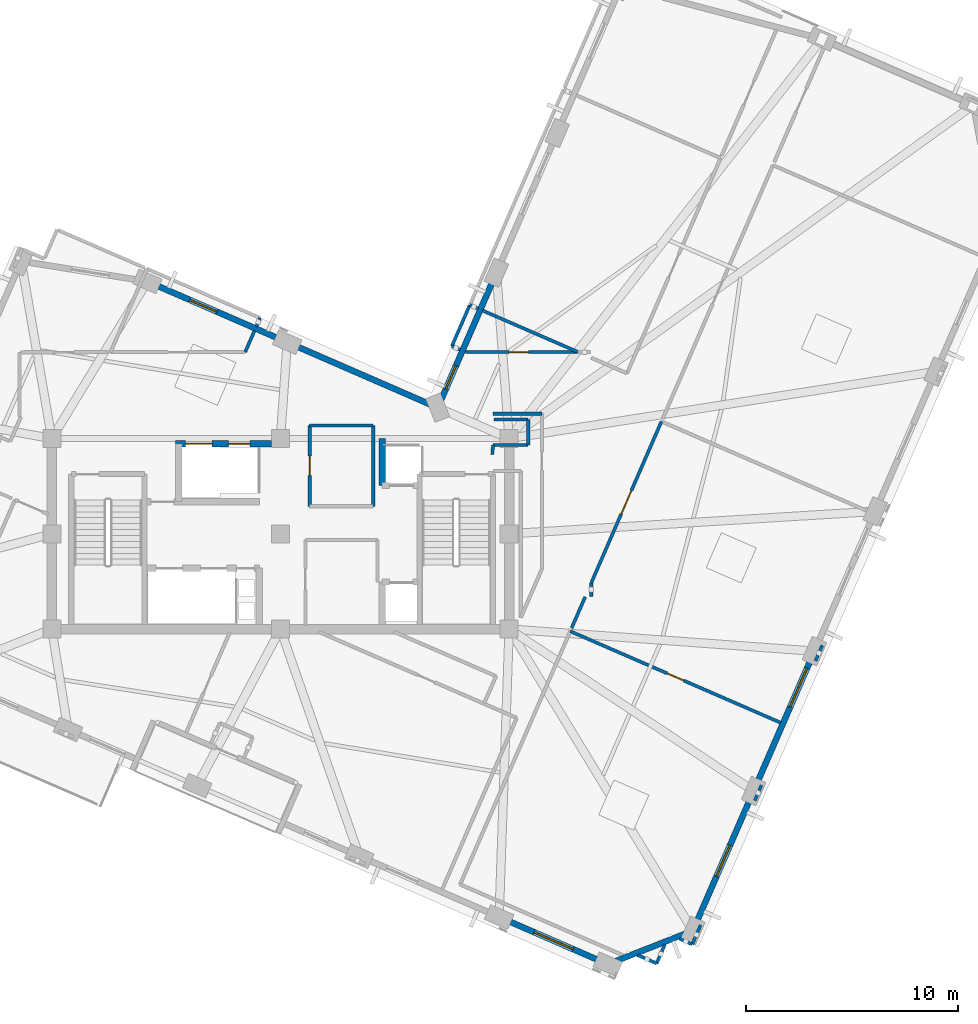
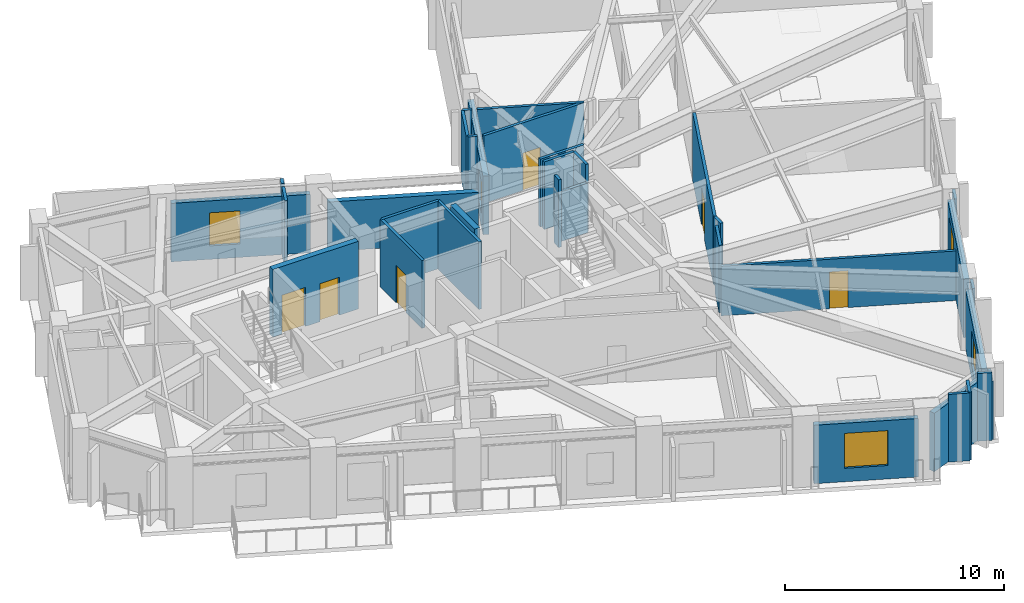
# One storey, part 6 of 12: 34 walls, 6 doors, 5 windows, 11 openings.
"""IFC4 building model written with IfcOpenShell, lengths in metres."""

import ifcopenshell
import ifcopenshell.guid

model = None  # the IFC model being written
_history = None  # IfcOwnerHistory: only IFC2X3 demands one
_inside = {}  # id of a spatial element -> (the spatial element, [elements in it])
_under = {}  # id of a project, library or spatial element -> (it, [spatial elements below it])
_declared = {}  # id of a project -> (the project, [libraries it declares])
_typed = {}  # id of a type object -> (the type object, [elements of that type])
_made_of = {}  # id of a material, layer set ... -> (it, [elements and type objects made of it])


def new_model(schema):
    """Start an empty IFC model of exactly this schema.

    Asked for "IFC4X3", IfcOpenShell would pick the latest addendum, in which some entities
    have other attributes; the version numbers below select the first issue.
    IFC2X3 requires an IfcOwnerHistory on every rooted entity: one is made here for all.
    """
    global model, _history
    if schema == "IFC4X3":
        model = ifcopenshell.file(schema_version=(4, 3, 0, 0))
    else:
        model = ifcopenshell.file(schema=schema)
    _inside.clear()
    _under.clear()
    _declared.clear()
    _typed.clear()
    _made_of.clear()
    _history = None
    if model.schema == "IFC2X3":
        org = make("IfcOrganization", Name="unknown")
        user = make(
            "IfcPersonAndOrganization",
            ThePerson=make("IfcPerson", FamilyName="unknown"),
            TheOrganization=org,
        )
        app = make(
            "IfcApplication",
            ApplicationDeveloper=org,
            Version="unknown",
            ApplicationFullName="unknown",
            ApplicationIdentifier="unknown",
        )
        _history = make(
            "IfcOwnerHistory",
            OwningUser=user,
            OwningApplication=app,
            ChangeAction="ADDED",
            CreationDate=0,
        )
    return model


def make(cls, **values):
    """One entity of the class cls with the attributes given. An attribute that is None is left unset."""
    return model.create_entity(
        cls, **{name: value for name, value in values.items() if value is not None}
    )


def rooted(cls, **values):
    """An entity with a GlobalId (a new one), such as an element, a storey or a relation."""
    return make(cls, GlobalId=ifcopenshell.guid.new(), OwnerHistory=_history, **values)


def si_unit(unit_type, name, prefix=None):
    """IfcSIUnit, for example si_unit("LENGTHUNIT", "METRE", prefix="MILLI")."""
    return make("IfcSIUnit", UnitType=unit_type, Prefix=prefix, Name=name)


def assignment(units):
    """IfcUnitAssignment: the units of a project."""
    return None if units is None else make("IfcUnitAssignment", Units=units)


def point(xyz):
    """IfcCartesianPoint."""
    return None if xyz is None else make("IfcCartesianPoint", Coordinates=xyz)


def direction(xyz):
    """IfcDirection."""
    return None if xyz is None else make("IfcDirection", DirectionRatios=xyz)


def frame(location, z_axis=None, x_axis=None):
    """IfcAxis2Placement3D, a coordinate frame: its origin and axes. An axis left out is left unset."""
    return make(
        "IfcAxis2Placement3D",
        Location=point(location),
        Axis=direction(z_axis),
        RefDirection=direction(x_axis),
    )


def frame_2d(location, x_axis=None):
    """IfcAxis2Placement2D, a coordinate frame in the plane: its origin and x axis."""
    return make(
        "IfcAxis2Placement2D", Location=point(location), RefDirection=direction(x_axis)
    )


def origin():
    """The frame at (0, 0, 0) with its axes left unset."""
    return frame((0.0, 0.0, 0.0))


def place(relative_to, where):
    """IfcLocalPlacement: puts the frame where relative to a parent placement (None: the world)."""
    return make(
        "IfcLocalPlacement", PlacementRelTo=relative_to, RelativePlacement=where
    )


def context(
    kind, dimensions, precision=None, world=None, true_north=None, identifier=None
):
    """IfcGeometricRepresentationContext, for example the 3D "Model" context."""
    return make(
        "IfcGeometricRepresentationContext",
        ContextIdentifier=identifier,
        ContextType=kind,
        CoordinateSpaceDimension=dimensions,
        Precision=precision,
        WorldCoordinateSystem=world,
        TrueNorth=true_north,
    )


def subcontext(parent, identifier, kind, view, scale=None):
    """IfcGeometricRepresentationSubContext, for example "Body" below "Model"."""
    return make(
        "IfcGeometricRepresentationSubContext",
        ContextIdentifier=identifier,
        ContextType=kind,
        ParentContext=parent,
        TargetScale=scale,
        TargetView=view,
    )


def project(units=None, contexts=None):
    """IfcProject with its units and contexts."""
    return rooted(
        "IfcProject",
        Name="project",
        RepresentationContexts=contexts,
        UnitsInContext=assignment(units),
    )


def spatial(cls, under=None, at=None, **own):
    """A site, building, storey or space (cls), placed at a placement, below another one or the project."""
    s = rooted(cls, ObjectPlacement=at, **own)
    if under is not None:
        _under.setdefault(under.id(), (under, []))[1].append(s)
    return s


def profile(cls, at=None, kind="AREA", **sizes):
    """A parametric profile (cls). Its sizes go by their IFC names, for example OverallWidth=200.0."""
    return make(cls, ProfileType=kind, Position=at, **sizes)


def rectangle(**sizes):
    """IfcRectangleProfileDef."""
    return profile("IfcRectangleProfileDef", **sizes)


def extrude(swept, where, along, depth):
    """IfcExtrudedAreaSolid: the profile swept, set in the frame where, extruded along a direction by depth."""
    return make(
        "IfcExtrudedAreaSolid",
        SweptArea=swept,
        Position=where,
        ExtrudedDirection=direction(along),
        Depth=depth,
    )


def shape(context_of_items, identifier, shape_type, items):
    """IfcShapeRepresentation: the items that make up one representation, for example the "Body"."""
    return make(
        "IfcShapeRepresentation",
        ContextOfItems=context_of_items,
        RepresentationIdentifier=identifier,
        RepresentationType=shape_type,
        Items=items,
    )


def material(Name=None, Category=None):
    """IfcMaterial."""
    return make("IfcMaterial", Name=Name, Category=Category)


def layer(
    of_material, thickness, ventilated=None, Name=None, Category=None, Priority=None
):
    """IfcMaterialLayer: one layer of a wall or slab, of a material (None: an air gap)."""
    return make(
        "IfcMaterialLayer",
        Material=of_material,
        LayerThickness=thickness,
        IsVentilated=ventilated,
        Name=Name,
        Category=Category,
        Priority=Priority,
    )


def layer_set(layers, Name=None):
    """IfcMaterialLayerSet."""
    return make("IfcMaterialLayerSet", MaterialLayers=layers, LayerSetName=Name)


def made_of(thing, what):
    """Note that an element or type object is made of a material, layer set ...; save() writes the relation."""
    if what is not None:
        _made_of.setdefault(what.id(), (what, []))[1].append(thing)
    return thing


def type_object(cls, material=None, **own):
    """A type object (cls), such as IfcWallType, which elements share."""
    return made_of(rooted(cls, **own), material)


def element(
    cls,
    number,
    at=None,
    inside=None,
    cuts=None,
    type_object=None,
    material=None,
    context=None,
    identifier="Body",
    shape_type=None,
    held_by="IfcProductDefinitionShape",
    body=None,
    shapes=None,
    **own,
):
    """One element of the class cls, such as IfcWall. Its Tag is "e" and its number.

    at: its placement. inside: the storey or other place that contains it. cuts: it is an
    opening in that element (IfcRelVoidsElement). A single representation is given by context,
    identifier, shape_type and body (its items); several are given by shapes. held_by: the class
    of the entity that holds the representations. save() writes the other relations.
    """
    e = rooted(cls, Tag="e%d" % number, ObjectPlacement=at, **own)
    if body is not None:
        shapes = [shape(context, identifier, shape_type, body)]
    if shapes is not None:
        e.Representation = make(held_by, Representations=shapes)
    if inside is not None:
        _inside.setdefault(inside.id(), (inside, []))[1].append(e)
    if cuts is not None:
        rooted(
            "IfcRelVoidsElement", RelatingBuildingElement=cuts, RelatedOpeningElement=e
        )
    if type_object is not None:
        _typed.setdefault(type_object.id(), (type_object, []))[1].append(e)
    return made_of(e, material)


def fill(opening, filler):
    """IfcRelFillsElement: the door or window that sits in an opening."""
    return rooted(
        "IfcRelFillsElement",
        RelatingOpeningElement=opening,
        RelatedBuildingElement=filler,
    )


def aggregate(whole, parts):
    """IfcRelAggregates: a whole, such as a stair, and the parts it consists of."""
    return rooted("IfcRelAggregates", RelatingObject=whole, RelatedObjects=parts)


def save(model, path):
    """Write the relations noted so far, then the file.

    IfcRelAggregates (storeys below a building ...), IfcRelContainedInSpatialStructure (elements
    in a storey), IfcRelDefinesByType, IfcRelAssociatesMaterial and IfcRelDeclares: one each for
    every whole, place, type object, material and project.
    """
    for whole, parts in _under.values():
        aggregate(whole, parts)
    for where, things in _inside.values():
        rooted(
            "IfcRelContainedInSpatialStructure",
            RelatedElements=things,
            RelatingStructure=where,
        )
    for kind, things in _typed.values():
        rooted("IfcRelDefinesByType", RelatedObjects=things, RelatingType=kind)
    for what, things in _made_of.values():
        rooted("IfcRelAssociatesMaterial", RelatedObjects=things, RelatingMaterial=what)
    for by, libraries in _declared.values():
        rooted("IfcRelDeclares", RelatingContext=by, RelatedDefinitions=libraries)
    model.write(path)


model = new_model("IFC4")

# Units and contexts
model_context = context("Model", 3, precision=1e-05, world=origin(), true_north=direction((0.0, 1.0)))
body_context = subcontext(model_context, "Body", "Model", "MODEL_VIEW")
ifc_project = project(units=[si_unit("LENGTHUNIT", "METRE"), si_unit("AREAUNIT", "SQUARE_METRE"), si_unit("VOLUMEUNIT", "CUBIC_METRE"), si_unit("PLANEANGLEUNIT", "RADIAN"), si_unit("MASSUNIT", "GRAM", prefix="KILO")], contexts=[model_context])

# Site, building, storey
site_placement = place(None, origin())
site = spatial("IfcSite", under=ifc_project, at=site_placement, CompositionType="ELEMENT")
building_placement = place(site_placement, origin())
building = spatial("IfcBuilding", under=site, at=building_placement, Name="Gaonmaruhae Medical Tower", CompositionType="ELEMENT")
storey_placement = place(building_placement, frame((0.0, 0.0, 308.60009765625)))
storey = spatial("IfcBuildingStorey", under=building, at=storey_placement, Name="L74", CompositionType="ELEMENT", Elevation=308.60009765625)

# Wall, opening, window
ifc_material_1 = material(Name="Precast concrete C45/55", Category="concrete")
ifc_layer_1 = layer(ifc_material_1, 0.280029296875)
ifc_layer_set_1 = layer_set([ifc_layer_1], Name="Precast concrete C45/55")
wall_type_1 = type_object("IfcWallType", Name="EW-280 Upper Precast Masonry-Frame Facade Wall", PredefinedType="SOLIDWALL", material=ifc_layer_set_1)
wall_1_placement = place(storey_placement, frame((46.987548828125, -0.210205078125, 0.0), z_axis=(0.0, 0.0, 1.0), x_axis=(-0.398744230651, -0.917062178112, 0.0)))
wall_1 = element("IfcWall", 1, at=wall_1_placement, inside=storey, type_object=wall_type_1, Name="L74 Precast Masonry-Frame Wall S01-S02", PredefinedType="SOLIDWALL", context=body_context, shape_type="SweptSolid", body=[
    extrude(rectangle(XDim=6.405029296875, YDim=0.280029296875, at=frame_2d((3.20263671875, 0.0))), origin(), (0.0, 0.0, 1.0), 3.264892578125),
])
opening_1_placement = place(wall_1_placement, frame((2.40234375, 0.0, 0.75)))
opening_1 = element("IfcOpeningElement", 2, at=opening_1_placement, cuts=wall_1, Name="Opening WN-01", PredefinedType="OPENING", context=body_context, shape_type="SweptSolid", body=[
    extrude(rectangle(XDim=1.60009765625, YDim=1.949951171875, at=frame_2d((0.800048828125, 0.97509765625))), frame((0.0, 0.14990234375, 0.0), z_axis=(0.0, -1.0, 0.0), x_axis=(1.0, 0.0, 0.0)), (0.0, 0.0, 1.0), 0.300048828125),
])
ifc_material_2 = material(Name="Anodised aluminium and Low-E double glazing", Category="aluminium")
window_type_1 = type_object("IfcWindowType", Name="WN-01 Ward Punched Acoustic Window 1600x1950", PartitioningType="SINGLE_PANEL", PredefinedType="WINDOW", material=ifc_material_2)
window_1_placement = place(opening_1_placement, origin())
window_1 = element("IfcWindow", 3, at=window_1_placement, inside=storey, type_object=window_type_1, Name="L74 Modular Facade Window S01", OverallHeight=1.949951171875, OverallWidth=1.60009765625, PartitioningType="SINGLE_PANEL", PredefinedType="WINDOW", context=body_context, shape_type="SweptSolid", body=[
    extrude(rectangle(XDim=1.60009765625, YDim=1.949951171875, at=frame_2d((0.800048828125, 0.97509765625))), frame((0.0, 0.030029296875, 0.0), z_axis=(0.0, -1.0, 0.0), x_axis=(1.0, 0.0, 0.0)), (0.0, 0.0, 1.0), 0.06005859375),
])
fill(opening_1, window_1)

wall_2_placement = place(storey_placement, frame((49.858642578125, 6.392578125, 0.0), z_axis=(0.0, 0.0, 1.0), x_axis=(-0.398758169539, -0.917056117272, 0.0)))
wall_2 = element("IfcWall", 4, at=wall_2_placement, inside=storey, type_object=wall_type_1, Name="L74 Precast Masonry-Frame Wall S02-S03", PredefinedType="SOLIDWALL", context=body_context, shape_type="SweptSolid", body=[
    extrude(rectangle(XDim=6.40478515625, YDim=0.280029296875, at=frame_2d((3.202392578125, 0.0))), origin(), (0.0, 0.0, 1.0), 3.264892578125),
])
opening_2_placement = place(wall_2_placement, frame((0.48388671875, 0.0, 0.75)))
opening_2 = element("IfcOpeningElement", 5, at=opening_2_placement, cuts=wall_2, Name="Opening WN-02", PredefinedType="OPENING", context=body_context, shape_type="SweptSolid", body=[
    extrude(rectangle(XDim=2.0, YDim=1.949951171875, at=frame_2d((1.0, 0.97509765625))), frame((0.0, 0.14990234375, 0.0), z_axis=(0.0, -1.0, 0.0), x_axis=(1.0, 0.0, 0.0)), (0.0, 0.0, 1.0), 0.300048828125),
])
window_type_2 = type_object("IfcWindowType", Name="WN-02 Double-Bed Ward Punched Window 2000x1950", PartitioningType="SINGLE_PANEL", PredefinedType="WINDOW", material=ifc_material_2)
window_2_placement = place(opening_2_placement, origin())
window_2 = element("IfcWindow", 6, at=window_2_placement, inside=storey, type_object=window_type_2, Name="L74 Modular Facade Window S02", OverallHeight=1.949951171875, OverallWidth=2.0, PartitioningType="SINGLE_PANEL", PredefinedType="WINDOW", context=body_context, shape_type="SweptSolid", body=[
    extrude(rectangle(XDim=2.0, YDim=1.949951171875, at=frame_2d((1.0, 0.97509765625))), frame((0.0, 0.030029296875, 0.0), z_axis=(0.0, -1.0, 0.0), x_axis=(1.0, 0.0, 0.0)), (0.0, 0.0, 1.0), 0.06005859375),
])
fill(opening_2, window_2)

wall_3_placement = place(storey_placement, frame((32.384765625, 18.619384765625, 0.0), z_axis=(0.0, 0.0, 1.0), x_axis=(0.398753668733, 0.917058074318, 0.0)))
wall_3 = element("IfcWall", 7, at=wall_3_placement, inside=storey, type_object=wall_type_1, Name="L74 Precast Masonry-Frame Wall EN02-KN01", PredefinedType="SOLIDWALL", context=body_context, shape_type="SweptSolid", body=[
    extrude(rectangle(XDim=6.155029296875, YDim=0.280029296875, at=frame_2d((3.07763671875, 0.0))), origin(), (0.0, 0.0, 1.0), 3.264892578125),
])
opening_3_placement = place(wall_3_placement, frame((0.561279296875, 0.0, 0.75)))
opening_3 = element("IfcOpeningElement", 8, at=opening_3_placement, cuts=wall_3, Name="Opening WN-05", PredefinedType="OPENING", context=body_context, shape_type="SweptSolid", body=[
    extrude(rectangle(XDim=1.199951171875, YDim=1.75, at=frame_2d((0.60009765625, 0.875))), frame((0.0, 0.14990234375, 0.0), z_axis=(0.0, -1.0, 0.0), x_axis=(1.0, 0.0, 0.0)), (0.0, 0.0, 1.0), 0.300048828125),
])
window_type_3 = type_object("IfcWindowType", Name="WN-05 Support & Staff Punched Window 1200x1750", PartitioningType="SINGLE_PANEL", PredefinedType="WINDOW", material=ifc_material_2)
window_3_placement = place(opening_3_placement, origin())
window_3 = element("IfcWindow", 9, at=window_3_placement, inside=storey, type_object=window_type_3, Name="L74 Modular Facade Window EN02", OverallHeight=1.75, OverallWidth=1.199951171875, PartitioningType="SINGLE_PANEL", PredefinedType="WINDOW", context=body_context, shape_type="SweptSolid", body=[
    extrude(rectangle(XDim=1.199951171875, YDim=1.75, at=frame_2d((0.60009765625, 0.875))), frame((0.0, 0.030029296875, 0.0), z_axis=(0.0, -1.0, 0.0), x_axis=(1.0, 0.0, 0.0)), (0.0, 0.0, 1.0), 0.06005859375),
])
fill(opening_3, window_3)

# Wall
wall_4_placement = place(storey_placement, frame((25.483642578125, 21.186767578125, 0.0), z_axis=(0.0, 0.0, 1.0), x_axis=(0.917060568388, -0.398747932794, 0.0)))
element("IfcWall", 10, at=wall_4_placement, inside=storey, type_object=wall_type_1, Name="L74 Precast Masonry-Frame Wall KN01-NE01", PredefinedType="SOLIDWALL", context=body_context, shape_type="SweptSolid", body=[
    extrude(rectangle(XDim=6.954833984375, YDim=0.280029296875, at=frame_2d((3.4775390625, 0.0))), origin(), (0.0, 0.0, 1.0), 2.764892578125),
])

# Wall, opening, window
wall_5_placement = place(storey_placement, frame((18.880859375, 24.0576171875, 0.0), z_axis=(0.0, 0.0, 1.0), x_axis=(0.917070056253, -0.398726111414, 0.0)))
wall_5 = element("IfcWall", 11, at=wall_5_placement, inside=storey, type_object=wall_type_1, Name="L74 Precast Masonry-Frame Wall NE01-NE02", PredefinedType="SOLIDWALL", context=body_context, shape_type="SweptSolid", body=[
    extrude(rectangle(XDim=6.40478515625, YDim=0.280029296875, at=frame_2d((3.202392578125, 0.0))), origin(), (0.0, 0.0, 1.0), 3.264892578125),
])
opening_4_placement = place(wall_5_placement, frame((1.77880859375, 0.0, 0.75)))
opening_4 = element("IfcOpeningElement", 12, at=opening_4_placement, cuts=wall_5, Name="Opening WN-03", PredefinedType="OPENING", context=body_context, shape_type="SweptSolid", body=[
    extrude(rectangle(XDim=1.39990234375, YDim=1.85009765625, at=frame_2d((0.699951171875, 0.925048828125))), frame((0.0, 0.14990234375, 0.0), z_axis=(0.0, -1.0, 0.0), x_axis=(1.0, 0.0, 0.0)), (0.0, 0.0, 1.0), 0.300048828125),
])
window_type_4 = type_object("IfcWindowType", Name="WN-03 Isolation Ward Punched Window 1400x1850", PartitioningType="SINGLE_PANEL", PredefinedType="WINDOW", material=ifc_material_2)
window_4_placement = place(opening_4_placement, origin())
window_4 = element("IfcWindow", 13, at=window_4_placement, inside=storey, type_object=window_type_4, Name="L74 Modular Facade Window NE01", OverallHeight=1.85009765625, OverallWidth=1.39990234375, PartitioningType="SINGLE_PANEL", PredefinedType="WINDOW", context=body_context, shape_type="SweptSolid", body=[
    extrude(rectangle(XDim=1.39990234375, YDim=1.85009765625, at=frame_2d((0.699951171875, 0.925048828125))), frame((0.0, 0.030029296875, 0.0), z_axis=(0.0, -1.0, 0.0), x_axis=(1.0, 0.0, 0.0)), (0.0, 0.0, 1.0), 0.06005859375),
])
fill(opening_4, window_4)

wall_6_placement = place(storey_placement, frame((39.897216796875, -7.870849609375, 0.0), z_axis=(0.0, 0.0, 1.0), x_axis=(-0.917050667534, 0.398770702505, 0.0)))
wall_6 = element("IfcWall", 14, at=wall_6_placement, inside=storey, type_object=wall_type_1, Name="L74 Precast Masonry-Frame Wall W05-W06", PredefinedType="SOLIDWALL", context=body_context, shape_type="SweptSolid", body=[
    extrude(rectangle(XDim=4.8046875, YDim=0.280029296875, at=frame_2d((2.40234375, 0.0))), origin(), (0.0, 0.0, 1.0), 3.264892578125),
])
opening_5_placement = place(wall_6_placement, frame((1.402587890625, 0.0, 0.75)))
opening_5 = element("IfcOpeningElement", 15, at=opening_5_placement, cuts=wall_6, Name="Opening WN-02", PredefinedType="OPENING", context=body_context, shape_type="SweptSolid", body=[
    extrude(rectangle(XDim=2.0, YDim=1.949951171875, at=frame_2d((1.0, 0.97509765625))), frame((0.0, 0.14990234375, 0.0), z_axis=(0.0, -1.0, 0.0), x_axis=(1.0, 0.0, 0.0)), (0.0, 0.0, 1.0), 0.300048828125),
])
window_5_placement = place(opening_5_placement, origin())
window_5 = element("IfcWindow", 16, at=window_5_placement, inside=storey, type_object=window_type_2, Name="L74 Modular Facade Window W05", OverallHeight=1.949951171875, OverallWidth=2.0, PartitioningType="SINGLE_PANEL", PredefinedType="WINDOW", context=body_context, shape_type="SweptSolid", body=[
    extrude(rectangle(XDim=2.0, YDim=1.949951171875, at=frame_2d((1.0, 0.97509765625))), frame((0.0, 0.030029296875, 0.0), z_axis=(0.0, -1.0, 0.0), x_axis=(1.0, 0.0, 0.0)), (0.0, 0.0, 1.0), 0.06005859375),
])
fill(opening_5, window_5)

# Wall
wall_7_placement = place(storey_placement, frame((43.9052734375, -6.593994140625, 0.0), z_axis=(0.0, 0.0, 1.0), x_axis=(-0.930406958637, -0.366528158974, 0.0)))
element("IfcWall", 17, at=wall_7_placement, inside=storey, type_object=wall_type_1, Name="L74 Precast Masonry-Frame Wall W06-S01", PredefinedType="SOLIDWALL", context=body_context, shape_type="SweptSolid", body=[
    extrude(rectangle(XDim=3.518310546875, YDim=0.280029296875, at=frame_2d((1.75927734375, 0.0))), origin(), (0.0, 0.0, 1.0), 3.264892578125),
])

# Wall, opening, door
ifc_material_3 = material(Name="Gypsum board partition", Category="gypsum")
ifc_layer_2 = layer(ifc_material_3, 0.14990234375)
ifc_layer_set_2 = layer_set([ifc_layer_2], Name="Gypsum board partition")
wall_type_2 = type_object("IfcWallType", Name="PW-150 Rated Clinical Corridor Partition", PredefinedType="PARTITIONING", material=ifc_layer_set_2)
wall_8_placement = place(storey_placement, frame((26.179931640625, 13.60009765625, 0.0), z_axis=(0.0, 0.0, 1.0), x_axis=(0.0, 1.0, 0.0)))
wall_8 = element("IfcWall", 18, at=wall_8_placement, inside=storey, type_object=wall_type_2, Name="L74 Interior Partition L74-RCL2-4", PredefinedType="PARTITIONING", context=body_context, shape_type="SweptSolid", body=[
    extrude(rectangle(XDim=3.81982421875, YDim=0.14990234375, at=frame_2d((1.909912109375, 0.0))), origin(), (0.0, 0.0, 1.0), 3.77978515625),
])
opening_6_placement = place(wall_8_placement, frame((1.449951171875, 0.0, 0.0)))
opening_6 = element("IfcOpeningElement", 19, at=opening_6_placement, cuts=wall_8, Name="Opening UD-01", PredefinedType="OPENING", context=body_context, shape_type="SweptSolid", body=[
    extrude(rectangle(XDim=0.919921875, YDim=2.10009765625, at=frame_2d((0.4599609375, 1.050048828125))), frame((0.0, 0.0849609375, 0.0), z_axis=(0.0, -1.0, 0.0), x_axis=(1.0, 0.0, 0.0)), (0.0, 0.0, 1.0), 0.169921875),
])
ifc_material_4 = material(Name="Powder-coated steel utility door", Category="steel")
door_type_1 = type_object("IfcDoorType", Name="UD-01 Toilet, Utility & Housekeeping Door 920x2100", OperationType="NOTDEFINED", PredefinedType="DOOR", material=ifc_material_4)
door_1_placement = place(opening_6_placement, origin())
door_1 = element("IfcDoor", 20, at=door_1_placement, inside=storey, type_object=door_type_1, Name="L74 Accessible Staff Toilet Door", OperationType="SINGLE_SWING_LEFT", OverallHeight=2.10009765625, OverallWidth=0.919921875, PredefinedType="DOOR", context=body_context, shape_type="SweptSolid", body=[
    extrude(rectangle(XDim=0.919921875, YDim=2.10009765625, at=frame_2d((0.4599609375, 1.050048828125))), frame((0.0, 0.02490234375, 0.0), z_axis=(0.0, -1.0, 0.0), x_axis=(1.0, 0.0, 0.0)), (0.0, 0.0, 1.0), 0.050048828125),
])
fill(opening_6, door_1)

# Walls
wall_9_placement = place(storey_placement, frame((26.179931640625, 17.419921875, 0.0), z_axis=(0.0, 0.0, 1.0), x_axis=(1.0, 0.0, 0.0)))
element("IfcWall", 21, at=wall_9_placement, inside=storey, type_object=wall_type_2, Name="L74 Interior Partition L74-RCL2-5", PredefinedType="PARTITIONING", context=body_context, shape_type="SweptSolid", body=[
    extrude(rectangle(XDim=3.0, YDim=0.14990234375, at=frame_2d((1.5, 0.0))), origin(), (0.0, 0.0, 1.0), 3.77978515625),
])
wall_10_placement = place(storey_placement, frame((29.179931640625, 17.419921875, 0.0), z_axis=(0.0, 0.0, 1.0), x_axis=(0.0, -1.0, 0.0)))
element("IfcWall", 22, at=wall_10_placement, inside=storey, type_object=wall_type_2, Name="L74 Interior Partition L74-RCL2-6", PredefinedType="PARTITIONING", context=body_context, shape_type="SweptSolid", body=[
    extrude(rectangle(XDim=3.81982421875, YDim=0.14990234375, at=frame_2d((1.909912109375, 0.0))), origin(), (0.0, 0.0, 1.0), 3.77978515625),
])
wall_11_placement = place(storey_placement, frame((42.56689453125, -7.9951171875, 0.0), z_axis=(0.0, 0.0, 1.0), x_axis=(-0.917188054541, 0.398454605454, 0.0)))
element("IfcWall", 23, at=wall_11_placement, inside=storey, type_object=wall_type_2, Name="L74 Interior Partition L74-SUP01-8", PredefinedType="PARTITIONING", context=body_context, shape_type="SweptSolid", body=[
    extrude(rectangle(XDim=0.986572265625, YDim=0.14990234375, at=frame_2d((0.4931640625, 0.0))), origin(), (0.0, 0.0, 1.0), 3.77978515625),
])

# Wall, opening, door
wall_12_placement = place(storey_placement, frame((38.486083984375, 7.697998046875, 0.0), z_axis=(0.0, 0.0, 1.0), x_axis=(0.917068265028, -0.398730231207, 0.0)))
wall_12 = element("IfcWall", 24, at=wall_12_placement, inside=storey, type_object=wall_type_2, Name="L74 Interior Partition L74-SUP01-11", PredefinedType="PARTITIONING", context=body_context, shape_type="SweptSolid", body=[
    extrude(rectangle(XDim=10.83447265625, YDim=0.14990234375, at=frame_2d((5.417236328125, 0.0))), origin(), (0.0, 0.0, 1.0), 2.764892578125),
])
opening_7_placement = place(wall_12_placement, frame((4.9873046875, 0.0, 0.0)))
opening_7 = element("IfcOpeningElement", 25, at=opening_7_placement, cuts=wall_12, Name="Opening AD-01", PredefinedType="OPENING", context=body_context, shape_type="SweptSolid", body=[
    extrude(rectangle(XDim=0.860107421875, YDim=2.06005859375, at=frame_2d((0.43017578125, 1.030029296875))), frame((0.0, 0.0849609375, 0.0), z_axis=(0.0, -1.0, 0.0), x_axis=(1.0, 0.0, 0.0)), (0.0, 0.0, 1.0), 0.169921875),
])
ifc_material_5 = material(Name="Powder-coated steel access door", Category="steel")
door_type_2 = type_object("IfcDoorType", Name="AD-01 Riser & Closet Access Fire Door 860x2060", OperationType="NOTDEFINED", PredefinedType="DOOR", material=ifc_material_5)
door_2_placement = place(opening_7_placement, origin())
door_2 = element("IfcDoor", 26, at=door_2_placement, inside=storey, type_object=door_type_2, Name="L74 Clinical Biomedical Charting Office Sliding Door", OperationType="SLIDING_TO_LEFT", OverallHeight=2.06005859375, OverallWidth=0.860107421875, PredefinedType="DOOR", context=body_context, shape_type="SweptSolid", body=[
    extrude(rectangle(XDim=0.860107421875, YDim=2.06005859375, at=frame_2d((0.43017578125, 1.030029296875))), frame((0.0, 0.02490234375, 0.0), z_axis=(0.0, -1.0, 0.0), x_axis=(1.0, 0.0, 0.0)), (0.0, 0.0, 1.0), 0.050048828125),
])
fill(opening_7, door_2)

# Walls
wall_13_placement = place(storey_placement, frame((47.51611328125, 0.427001953125, 0.0), z_axis=(0.0, 0.0, 1.0), x_axis=(-0.398916999953, -0.916987037612, 0.0)))
element("IfcWall", 27, at=wall_13_placement, inside=storey, type_object=wall_type_2, Name="L74 Interior Partition L74-SUP01-12", PredefinedType="PARTITIONING", context=body_context, shape_type="SweptSolid", body=[
    extrude(rectangle(XDim=0.794921875, YDim=0.14990234375, at=frame_2d((0.3974609375, 0.0))), origin(), (0.0, 0.0, 1.0), 3.264892578125),
])
wall_14_placement = place(storey_placement, frame((44.64501953125, -6.176025390625, 0.0), z_axis=(0.0, 0.0, 1.0), x_axis=(-0.399173799485, -0.916875279307, 0.0)))
element("IfcWall", 28, at=wall_14_placement, inside=storey, type_object=wall_type_2, Name="L74 Interior Partition L74-SUP01-13", PredefinedType="PARTITIONING", context=body_context, shape_type="SweptSolid", body=[
    extrude(rectangle(XDim=0.996826171875, YDim=0.14990234375, at=frame_2d((0.49853515625, 0.0))), origin(), (0.0, 0.0, 1.0), 3.264892578125),
])
wall_15_placement = place(storey_placement, frame((44.2470703125, -7.090087890625, 0.0), z_axis=(0.0, 0.0, 1.0), x_axis=(-0.917070056253, 0.398726111414, 0.0)))
element("IfcWall", 29, at=wall_15_placement, inside=storey, type_object=wall_type_2, Name="L74 Interior Partition L74-SUP01-14", PredefinedType="PARTITIONING", context=body_context, shape_type="SweptSolid", body=[
    extrude(rectangle(XDim=0.66748046875, YDim=0.14990234375, at=frame_2d((0.333740234375, 0.0))), origin(), (0.0, 0.0, 1.0), 3.77978515625),
])
wall_16_placement = place(storey_placement, frame((42.9609375, -7.090087890625, 0.0), z_axis=(0.0, 0.0, 1.0), x_axis=(-0.399196346623, -0.916865462782, 0.0)))
element("IfcWall", 30, at=wall_16_placement, inside=storey, type_object=wall_type_2, Name="L74 Interior Partition L74-SUP01-15", PredefinedType="PARTITIONING", context=body_context, shape_type="SweptSolid", body=[
    extrude(rectangle(XDim=0.987060546875, YDim=0.14990234375, at=frame_2d((0.49365234375, 0.0))), origin(), (0.0, 0.0, 1.0), 3.77978515625),
])
wall_17_placement = place(storey_placement, frame((39.47998046875, 9.35009765625, 0.0), z_axis=(0.0, 0.0, 1.0), x_axis=(0.0, 1.0, 0.0)))
element("IfcWall", 31, at=wall_17_placement, inside=storey, type_object=wall_type_2, Name="L74 Interior Partition L74-SUP02-16", PredefinedType="PARTITIONING", context=body_context, shape_type="SweptSolid", body=[
    extrude(rectangle(XDim=0.6337890625, YDim=0.14990234375, at=frame_2d((0.31689453125, 0.0))), origin(), (0.0, 0.0, 1.0), 3.77978515625),
])

# Wall, opening, door
wall_18_placement = place(storey_placement, frame((39.47998046875, 9.98388671875, 0.0), z_axis=(0.0, 0.0, 1.0), x_axis=(0.398659488131, 0.917099020021, 0.0)))
wall_18 = element("IfcWall", 32, at=wall_18_placement, inside=storey, type_object=wall_type_2, Name="L74 Interior Partition L74-SUP02-17", PredefinedType="PARTITIONING", context=body_context, shape_type="SweptSolid", body=[
    extrude(rectangle(XDim=8.307861328125, YDim=0.14990234375, at=frame_2d((4.15380859375, 0.0))), origin(), (0.0, 0.0, 1.0), 3.77978515625),
])
opening_8_placement = place(wall_18_placement, frame((3.553955078125, 0.0, 0.0)))
opening_8 = element("IfcOpeningElement", 33, at=opening_8_placement, cuts=wall_18, Name="Opening CD-02", PredefinedType="OPENING", context=body_context, shape_type="SweptSolid", body=[
    extrude(rectangle(XDim=1.199951171875, YDim=2.14990234375, at=frame_2d((0.60009765625, 1.074951171875))), frame((0.0, 0.0849609375, 0.0), z_axis=(0.0, -1.0, 0.0), x_axis=(1.0, 0.0, 0.0)), (0.0, 0.0, 1.0), 0.169921875),
])
ifc_material_6 = material(Name="Antimicrobial laminate timber fire door", Category="wood")
door_type_3 = type_object("IfcDoorType", Name="CD-02 Clinical Treatment & Procedure Door 1200x2150", OperationType="NOTDEFINED", PredefinedType="DOOR", material=ifc_material_6)
door_3_placement = place(opening_8_placement, origin())
door_3 = element("IfcDoor", 34, at=door_3_placement, inside=storey, type_object=door_type_3, Name="L74 Clinical Biomedical Charting Office Door", OperationType="SINGLE_SWING_RIGHT", OverallHeight=2.14990234375, OverallWidth=1.199951171875, PredefinedType="DOOR", context=body_context, shape_type="SweptSolid", body=[
    extrude(rectangle(XDim=1.199951171875, YDim=2.14990234375, at=frame_2d((0.60009765625, 1.074951171875))), frame((0.0, 0.02490234375, 0.0), z_axis=(0.0, -1.0, 0.0), x_axis=(1.0, 0.0, 0.0)), (0.0, 0.0, 1.0), 0.050048828125),
])
fill(opening_8, door_3)

# Walls
wall_19_placement = place(storey_placement, frame((50.385986328125, 7.030029296875, 0.0), z_axis=(0.0, 0.0, 1.0), x_axis=(-0.398658726612, -0.91709935105, 0.0)))
element("IfcWall", 35, at=wall_19_placement, inside=storey, type_object=wall_type_2, Name="L74 Interior Partition L74-SUP02-19", PredefinedType="PARTITIONING", context=body_context, shape_type="SweptSolid", body=[
    extrude(rectangle(XDim=0.794921875, YDim=0.14990234375, at=frame_2d((0.3974609375, 0.0))), origin(), (0.0, 0.0, 1.0), 3.264892578125),
])
wall_20_placement = place(storey_placement, frame((38.550048828125, 7.844970703125, 0.0), z_axis=(0.0, 0.0, 1.0), x_axis=(0.398476313607, 0.917178623548, 0.0)))
element("IfcWall", 36, at=wall_20_placement, inside=storey, type_object=wall_type_2, Name="L74 Interior Partition L74-SUP02-20", PredefinedType="PARTITIONING", context=body_context, shape_type="SweptSolid", body=[
    extrude(rectangle(XDim=1.6083984375, YDim=0.14990234375, at=frame_2d((0.80419921875, 0.0))), origin(), (0.0, 0.0, 1.0), 3.77978515625),
])
wall_21_placement = place(storey_placement, frame((34.803955078125, 16.050048828125, 0.0), z_axis=(0.0, 0.0, 1.0), x_axis=(0.077896068279, 0.996961484987, 0.0)))
element("IfcWall", 37, at=wall_21_placement, inside=storey, type_object=wall_type_2, Name="L74 Interior Partition L74-IE01-52", PredefinedType="PARTITIONING", context=body_context, shape_type="SweptSolid", body=[
    extrude(rectangle(XDim=0.451416015625, YDim=0.14990234375, at=frame_2d((0.2255859375, 0.0))), origin(), (0.0, 0.0, 1.0), 3.77978515625),
])
wall_22_placement = place(storey_placement, frame((34.839111328125, 16.5, 0.0), z_axis=(0.0, 0.0, 1.0), x_axis=(1.0, 0.0, 0.0)))
element("IfcWall", 38, at=wall_22_placement, inside=storey, type_object=wall_type_2, Name="L74 Interior Partition L74-IE01-53", PredefinedType="PARTITIONING", context=body_context, shape_type="SweptSolid", body=[
    extrude(rectangle(XDim=1.660888671875, YDim=0.14990234375, at=frame_2d((0.83056640625, 0.0))), origin(), (0.0, 0.0, 1.0), 2.764892578125),
])
wall_23_placement = place(storey_placement, frame((36.5, 16.5, 0.0), z_axis=(0.0, 0.0, 1.0), x_axis=(0.0, 1.0, 0.0)))
element("IfcWall", 39, at=wall_23_placement, inside=storey, type_object=wall_type_2, Name="L74 Interior Partition L74-IE01-54", PredefinedType="PARTITIONING", context=body_context, shape_type="SweptSolid", body=[
    extrude(rectangle(XDim=1.199951171875, YDim=0.14990234375, at=frame_2d((0.60009765625, 0.0))), origin(), (0.0, 0.0, 1.0), 3.77978515625),
])
wall_24_placement = place(storey_placement, frame((36.5, 17.699951171875, 0.0), z_axis=(0.0, 0.0, 1.0), x_axis=(-1.0, 0.0, 0.0)))
element("IfcWall", 40, at=wall_24_placement, inside=storey, type_object=wall_type_2, Name="L74 Interior Partition L74-IE01-55", PredefinedType="PARTITIONING", context=body_context, shape_type="SweptSolid", body=[
    extrude(rectangle(XDim=1.610107421875, YDim=0.14990234375, at=frame_2d((0.80517578125, 0.0))), origin(), (0.0, 0.0, 1.0), 3.77978515625),
])
wall_25_placement = place(storey_placement, frame((34.837890625, 17.969970703125, 0.0), z_axis=(0.0, 0.0, 1.0), x_axis=(1.0, 0.0, 0.0)))
element("IfcWall", 41, at=wall_25_placement, inside=storey, type_object=wall_type_2, Name="L74 Interior Partition L74-IE01-56", PredefinedType="PARTITIONING", context=body_context, shape_type="SweptSolid", body=[
    extrude(rectangle(XDim=2.31201171875, YDim=0.14990234375, at=frame_2d((1.156005859375, 0.0))), origin(), (0.0, 0.0, 1.0), 3.77978515625),
])
wall_26_placement = place(storey_placement, frame((38.860107421875, 20.8798828125, 0.0), z_axis=(0.0, 0.0, 1.0), x_axis=(-0.917036147656, 0.39880409212, 0.0)))
element("IfcWall", 42, at=wall_26_placement, inside=storey, type_object=wall_type_2, Name="L74 Interior Partition L74-IE02-62", PredefinedType="PARTITIONING", context=body_context, shape_type="SweptSolid", body=[
    extrude(rectangle(XDim=4.922607421875, YDim=0.14990234375, at=frame_2d((2.46142578125, 0.0))), origin(), (0.0, 0.0, 1.0), 3.77978515625),
])
wall_27_placement = place(storey_placement, frame((34.135009765625, 22.93408203125, 0.0), z_axis=(0.0, 0.0, 1.0), x_axis=(-0.916748651636, 0.399464528742, 0.0)))
element("IfcWall", 43, at=wall_27_placement, inside=storey, type_object=wall_type_2, Name="L74 Interior Partition L74-IE02-63", PredefinedType="PARTITIONING", context=body_context, shape_type="SweptSolid", body=[
    extrude(rectangle(XDim=0.43505859375, YDim=0.14990234375, at=frame_2d((0.217529296875, 0.0))), origin(), (0.0, 0.0, 1.0), 3.77978515625),
])
wall_28_placement = place(storey_placement, frame((23.839111328125, 22.501953125, 0.0), z_axis=(0.0, 0.0, 1.0), x_axis=(-0.399935888769, -0.916543116757, 0.0)))
element("IfcWall", 44, at=wall_28_placement, inside=storey, type_object=wall_type_2, Name="L74 Interior Partition L74-IN02-75", PredefinedType="PARTITIONING", context=body_context, shape_type="SweptSolid", body=[
    extrude(rectangle(XDim=0.435302734375, YDim=0.14990234375, at=frame_2d((0.2177734375, 0.0))), origin(), (0.0, 0.0, 1.0), 3.77978515625),
])
wall_29_placement = place(storey_placement, frame((23.573974609375, 21.89208984375, 0.0), z_axis=(0.0, 0.0, 1.0), x_axis=(-0.398612867881, -0.917119284259, 0.0)))
element("IfcWall", 45, at=wall_29_placement, inside=storey, type_object=wall_type_2, Name="L74 Interior Partition L74-IN02-76", PredefinedType="PARTITIONING", context=body_context, shape_type="SweptSolid", body=[
    extrude(rectangle(XDim=1.103759765625, YDim=0.14990234375, at=frame_2d((0.5517578125, 0.0))), origin(), (0.0, 0.0, 1.0), 3.77978515625),
])

# Wall, opening, door
wall_30_placement = place(storey_placement, frame((38.80908203125, 20.8798828125, 0.0), z_axis=(0.0, 0.0, 1.0), x_axis=(-1.0, 0.0, 0.0)))
wall_30 = element("IfcWall", 46, at=wall_30_placement, inside=storey, type_object=wall_type_2, Name="L74 Interior Partition L74-RM03-92", PredefinedType="PARTITIONING", context=body_context, shape_type="SweptSolid", body=[
    extrude(rectangle(XDim=5.27197265625, YDim=0.14990234375, at=frame_2d((2.635986328125, 0.0))), origin(), (0.0, 0.0, 1.0), 3.77978515625),
])
opening_9_placement = place(wall_30_placement, frame((2.289794921875, 0.0, 0.0)))
opening_9 = element("IfcOpeningElement", 47, at=opening_9_placement, cuts=wall_30, Name="Opening UD-01", PredefinedType="OPENING", context=body_context, shape_type="SweptSolid", body=[
    extrude(rectangle(XDim=0.919921875, YDim=2.10009765625, at=frame_2d((0.4599609375, 1.050048828125))), frame((0.0, 0.0849609375, 0.0), z_axis=(0.0, -1.0, 0.0), x_axis=(1.0, 0.0, 0.0)), (0.0, 0.0, 1.0), 0.169921875),
])
door_4_placement = place(opening_9_placement, origin())
door_4 = element("IfcDoor", 48, at=door_4_placement, inside=storey, type_object=door_type_1, Name="L74 Biomedical Mobile Equipment Bay Door", OperationType="SINGLE_SWING_LEFT", OverallHeight=2.10009765625, OverallWidth=0.919921875, PredefinedType="DOOR", context=body_context, shape_type="SweptSolid", body=[
    extrude(rectangle(XDim=0.919921875, YDim=2.10009765625, at=frame_2d((0.4599609375, 1.050048828125))), frame((0.0, 0.02490234375, 0.0), z_axis=(0.0, -1.0, 0.0), x_axis=(1.0, 0.0, 0.0)), (0.0, 0.0, 1.0), 0.050048828125),
])
fill(opening_9, door_4)

# Walls
wall_31_placement = place(storey_placement, frame((33.2890625, 20.988037109375, 0.0), z_axis=(0.0, 0.0, 1.0), x_axis=(-0.917657976039, 0.397371160267, 0.0)))
element("IfcWall", 49, at=wall_31_placement, inside=storey, type_object=wall_type_2, Name="L74 Interior Partition L74-RM03-93", PredefinedType="PARTITIONING", context=body_context, shape_type="SweptSolid", body=[
    extrude(rectangle(XDim=0.43505859375, YDim=0.14990234375, at=frame_2d((0.217529296875, 0.0))), origin(), (0.0, 0.0, 1.0), 3.77978515625),
])
wall_32_placement = place(storey_placement, frame((32.889892578125, 21.160888671875, 0.0), z_axis=(0.0, 0.0, 1.0), x_axis=(0.399027500697, 0.91693895854, 0.0)))
element("IfcWall", 50, at=wall_32_placement, inside=storey, type_object=wall_type_2, Name="L74 Interior Partition L74-RM03-94", PredefinedType="PARTITIONING", context=body_context, shape_type="SweptSolid", body=[
    extrude(rectangle(XDim=2.102783203125, YDim=0.14990234375, at=frame_2d((1.05126953125, 0.0))), origin(), (0.0, 0.0, 1.0), 3.77978515625),
])

# Wall, openings, doors
ifc_material_7 = material(Name="Concrete C50/60", Category="concrete")
ifc_layer_3 = layer(ifc_material_7, 0.300048828125)
ifc_layer_set_3 = layer_set([ifc_layer_3], Name="Concrete C50/60")
wall_type_3 = type_object("IfcWallType", Name="SW-300 Stair & Lift Hoistway Shaft Wall", PredefinedType="SOLIDWALL", material=ifc_layer_set_3)
wall_33_placement = place(storey_placement, frame((19.85009765625, 16.550048828125, 0.0), z_axis=(0.0, 0.0, 1.0), x_axis=(1.0, 0.0, 0.0)))
wall_33 = element("IfcWall", 51, at=wall_33_placement, inside=storey, type_object=wall_type_3, Name="L74 Core Shear Wall CSW-NB", PredefinedType="SOLIDWALL", context=body_context, shape_type="SweptSolid", body=[
    extrude(rectangle(XDim=4.52490234375, YDim=0.300048828125, at=frame_2d((2.262451171875, 0.0))), origin(), (0.0, 0.0, 1.0), 3.77978515625),
])
opening_10_placement = place(wall_33_placement, frame((0.47509765625, 0.0, 0.0)))
opening_10 = element("IfcOpeningElement", 52, at=opening_10_placement, cuts=wall_33, Name="Opening LD-F1", PredefinedType="OPENING", context=body_context, shape_type="SweptSolid", body=[
    extrude(rectangle(XDim=1.25, YDim=2.179931640625, at=frame_2d((0.625, 1.08984375))), frame((0.0, 0.16015625, 0.0), z_axis=(0.0, -1.0, 0.0), x_axis=(1.0, 0.0, 0.0)), (0.0, 0.0, 1.0), 0.320068359375),
])
opening_11_placement = place(wall_33_placement, frame((2.489990234375, 0.0, 0.0)))
opening_11 = element("IfcOpeningElement", 53, at=opening_11_placement, cuts=wall_33, Name="Opening LD-S1", PredefinedType="OPENING", context=body_context, shape_type="SweptSolid", body=[
    extrude(rectangle(XDim=1.02001953125, YDim=2.1201171875, at=frame_2d((0.510009765625, 1.06005859375))), frame((0.0, 0.16015625, 0.0), z_axis=(0.0, -1.0, 0.0), x_axis=(1.0, 0.0, 0.0)), (0.0, 0.0, 1.0), 0.320068359375),
])
ifc_material_8 = material(Name="Brushed stainless steel 316L landing door", Category="steel")
door_type_4 = type_object("IfcDoorType", Name="LD-F1 Firefighting & Bed Lift Sliding Landing Door 1250x2180", OperationType="NOTDEFINED", PredefinedType="DOOR", material=ifc_material_8)
door_5_placement = place(opening_10_placement, origin())
door_5 = element("IfcDoor", 54, at=door_5_placement, inside=storey, type_object=door_type_4, Name="L74 Service/Bed Lift Landing Door BDL-01", OperationType="DOUBLE_DOOR_SLIDING", OverallHeight=2.179931640625, OverallWidth=1.25, PredefinedType="DOOR", context=body_context, shape_type="SweptSolid", body=[
    extrude(rectangle(XDim=1.25, YDim=2.179931640625, at=frame_2d((0.625, 1.08984375))), frame((0.0, 0.02490234375, 0.0), z_axis=(0.0, -1.0, 0.0), x_axis=(1.0, 0.0, 0.0)), (0.0, 0.0, 1.0), 0.050048828125),
])
fill(opening_10, door_5)
ifc_material_9 = material(Name="Brushed stainless steel 304 landing door", Category="steel")
door_type_5 = type_object("IfcDoorType", Name="LD-S1 Service Lift Sliding Landing Door 1020x2120", OperationType="NOTDEFINED", PredefinedType="DOOR", material=ifc_material_9)
door_6_placement = place(opening_11_placement, origin())
door_6 = element("IfcDoor", 55, at=door_6_placement, inside=storey, type_object=door_type_5, Name="L74 Service/Bed Lift Landing Door SVL-01", OperationType="SLIDING_TO_LEFT", OverallHeight=2.1201171875, OverallWidth=1.02001953125, PredefinedType="DOOR", context=body_context, shape_type="SweptSolid", body=[
    extrude(rectangle(XDim=1.02001953125, YDim=2.1201171875, at=frame_2d((0.510009765625, 1.06005859375))), frame((0.0, 0.02490234375, 0.0), z_axis=(0.0, -1.0, 0.0), x_axis=(1.0, 0.0, 0.0)), (0.0, 0.0, 1.0), 0.050048828125),
])
fill(opening_11, door_6)

# Wall
wall_34_placement = place(storey_placement, frame((29.60009765625, 14.580078125, 0.0), z_axis=(0.0, 0.0, 1.0), x_axis=(0.0, 1.0, 0.0)))
element("IfcWall", 56, at=wall_34_placement, inside=storey, type_object=wall_type_3, Name="L74 Shaft Enclosure Wall SHW-PLD2", PredefinedType="SOLIDWALL", context=body_context, shape_type="SweptSolid", body=[
    extrude(rectangle(XDim=2.219970703125, YDim=0.300048828125, at=frame_2d((1.10986328125, 0.0))), origin(), (0.0, 0.0, 1.0), 3.77978515625),
])

save(model, "model.ifc")
